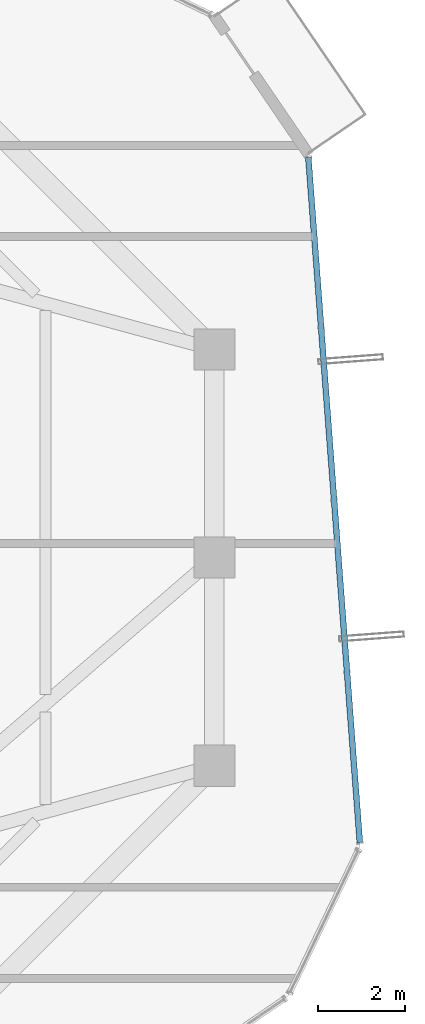
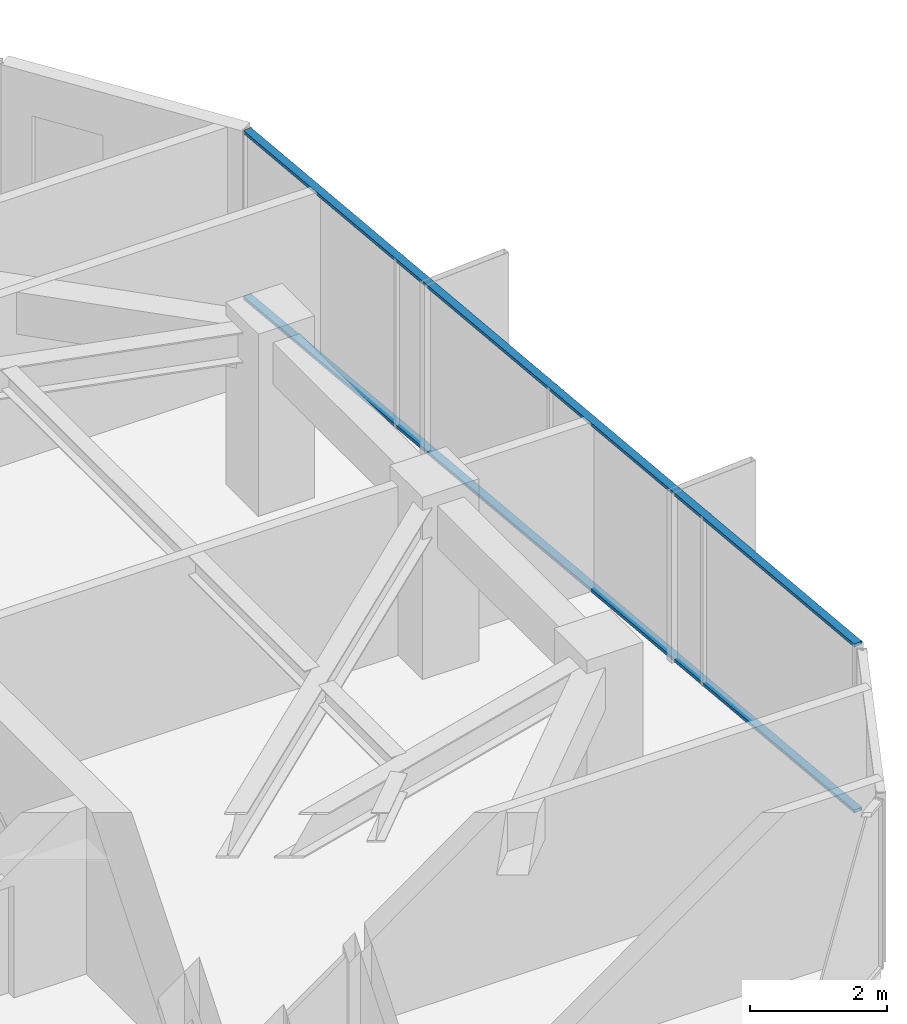
# One storey, part 21 of 34: 2 members, 1 element without a shape of its own.
"""IFC4 building model written with IfcOpenShell, lengths in metres."""

from ifc_helpers import new_model, si_unit, direction, frame, origin, origin_2d, place, context, subcontext, project, spatial, hollow_rectangle, extrude, source, transform, mapped, material, layer, layer_set, material_profile, profile_set, type_object, element, aggregate, save


model = new_model("IFC4")

# Units and contexts
model_context = context("Model", 3, precision=1e-05, world=origin(), true_north=direction((0.0, 1.0)))
body_context = subcontext(model_context, "Body", "Model", "MODEL_VIEW")
ifc_project = project(units=[si_unit("LENGTHUNIT", "METRE"), si_unit("AREAUNIT", "SQUARE_METRE"), si_unit("VOLUMEUNIT", "CUBIC_METRE"), si_unit("PLANEANGLEUNIT", "RADIAN"), si_unit("MASSUNIT", "GRAM", prefix="KILO")], contexts=[model_context])

# Site, building, storey
site_placement = place(None, origin())
site = spatial("IfcSite", under=ifc_project, at=site_placement, CompositionType="ELEMENT")
building_placement = place(site_placement, origin())
building = spatial("IfcBuilding", under=site, at=building_placement, Name="Veraguas Prism Commons", CompositionType="ELEMENT")
storey_placement = place(building_placement, frame((0.0, 0.0, 191.85009765625)))
storey = spatial("IfcBuildingStorey", under=building, at=storey_placement, Name="L54", CompositionType="ELEMENT", Elevation=191.85009765625)

# Curtain wall, members
ifc_material = material(Name="Anodised aluminium EN AW-6063 T6", Category="aluminium")
ifc_layer = layer(ifc_material, 0.14990234375, Name="Unitised Flush Curtain Wall Zone 3", Category="aluminium")
ifc_layer_set = layer_set([ifc_layer], Name="Anodised aluminium EN AW-6063 T6")
curtain_wall_type = type_object("IfcCurtainWallType", Name="Unitised Flush Curtain Wall Zone 3", PredefinedType="NOTDEFINED", material=ifc_layer_set)
curtain_wall_placement = place(storey_placement, origin())
curtain_wall = element("IfcCurtainWall", 1, at=curtain_wall_placement, inside=storey, type_object=curtain_wall_type, Name="Tower Facade Curtain Wall L54-F6", PredefinedType="NOTDEFINED")
ifc_material_profile = material_profile(ifc_material, hollow_rectangle(XDim=0.054931640625, YDim=0.135009765625, WallThickness=0.0029296875, at=origin_2d()), Name="AL55X135X3")
ifc_profile_set = profile_set([ifc_material_profile], Name="Anodised aluminium EN AW-6063 T6")
member_type = type_object("IfcMemberType", Name="Curtain Wall Transom Standard AL 55x135x3", PredefinedType="USERDEFINED", material=ifc_profile_set)
shared_shape = source(origin(), body_context, "Body", "SweptSolid", [
    extrude(hollow_rectangle(XDim=0.054931640625, YDim=0.135009765625, WallThickness=0.0029296875, at=origin_2d()), origin(), (0.0, 0.0, 1.0), 15.842529296875),
])
member_1_placement = place(storey_placement, frame((42.254150390625, 17.428955078125, 0.02734375), z_axis=(-0.074972306716, 0.997185616235, 0.0), x_axis=(0.0, 0.0, 1.0)))
member_1 = element("IfcMember", 2, at=member_1_placement, type_object=member_type, Name="CW-Z3 Transom 1", ObjectType="TRANSOM", PredefinedType="USERDEFINED", context=body_context, shape_type="MappedRepresentation", body=[
    mapped(shared_shape, transform((0.0, 0.0, 0.0), scale=1.0)),
])
member_2_placement = place(storey_placement, frame((42.254150390625, 17.428955078125, 2.9873046875), z_axis=(-0.074972306716, 0.997185616235, 0.0), x_axis=(0.0, 0.0, 1.0)))
member_2 = element("IfcMember", 3, at=member_2_placement, type_object=member_type, Name="CW-Z3 Transom 2", ObjectType="TRANSOM", PredefinedType="USERDEFINED", context=body_context, shape_type="MappedRepresentation", body=[
    mapped(shared_shape, transform((0.0, 0.0, 0.0), scale=1.0)),
])
aggregate(curtain_wall, [member_1, member_2])

save(model, "model.ifc")
